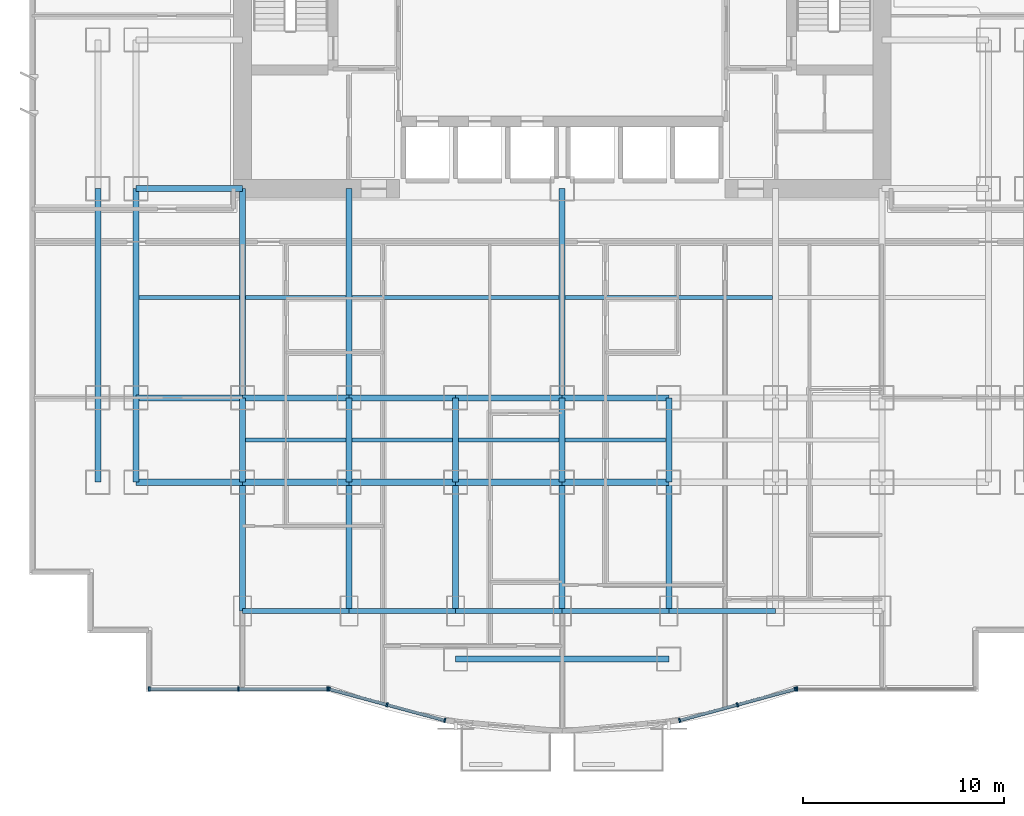
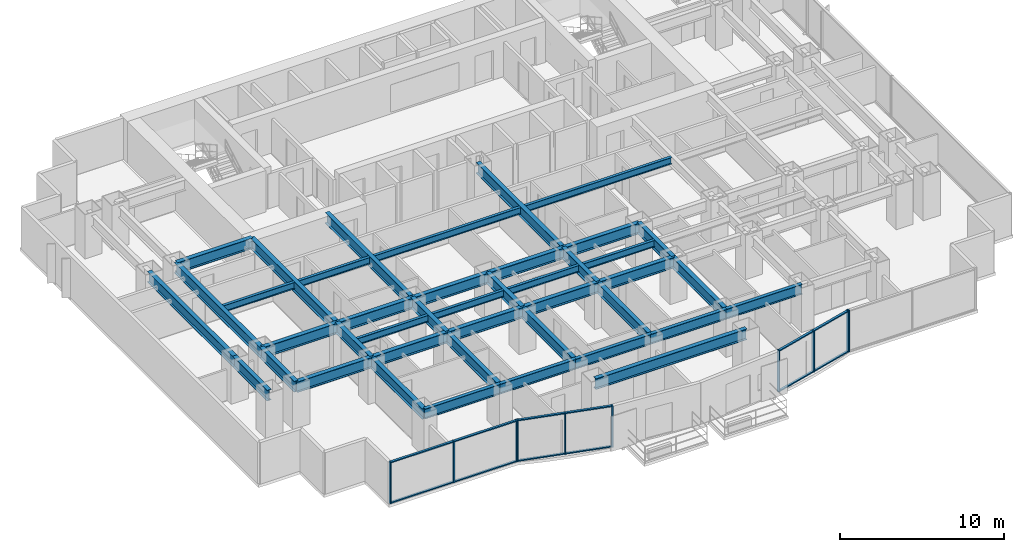
# One storey, part 2 of 12: 42 beams, 22 members, 4 elements without a shape of their own.
"""IFC4 building model written with IfcOpenShell, lengths in metres."""

from ifc_helpers import new_model, si_unit, direction, frame, origin, origin_2d, place, context, subcontext, project, spatial, rectangle, i_section, extrude, source, transform, mapped, material, layer, layer_set, material_profile, profile_set, type_object, element, aggregate, save


model = new_model("IFC4")

# Units and contexts
model_context = context("Model", 3, precision=1e-05, world=origin(), true_north=direction((0.0, 1.0)))
body_context = subcontext(model_context, "Body", "Model", "MODEL_VIEW")
ifc_project = project(units=[si_unit("LENGTHUNIT", "METRE"), si_unit("AREAUNIT", "SQUARE_METRE"), si_unit("VOLUMEUNIT", "CUBIC_METRE"), si_unit("PLANEANGLEUNIT", "RADIAN"), si_unit("MASSUNIT", "GRAM", prefix="KILO")], contexts=[model_context])

# Site, building, storey
site_placement = place(None, origin())
site = spatial("IfcSite", under=ifc_project, at=site_placement, CompositionType="ELEMENT")
building_placement = place(site_placement, origin())
building = spatial("IfcBuilding", under=site, at=building_placement, Name="Qianlan Lanfeng Residences", CompositionType="ELEMENT")
storey_placement = place(building_placement, frame((0.0, 0.0, 44.0)))
storey = spatial("IfcBuildingStorey", under=building, at=storey_placement, Name="L11", CompositionType="ELEMENT", Elevation=44.0)

# Beams
ifc_material_1 = material(Name="Steel SN490B", Category="steel")
ifc_material_profile_1 = material_profile(ifc_material_1, i_section(OverallWidth=0.300048828125, OverallDepth=0.800048828125, WebThickness=0.01611328125, FlangeThickness=0.028076171875, at=origin_2d()), Name="H 800x300x16x28")
ifc_profile_set_1 = profile_set([ifc_material_profile_1], Name="Steel SN490B")
beam_type_1 = type_object("IfcBeamType", Name="G-950", PredefinedType="BEAM", material=ifc_profile_set_1)
beam_1_placement = place(storey_placement, frame((21.199951171875, 1.800048828125, 2.679931640625), z_axis=(1.0, 0.0, 0.0), x_axis=(0.0, 1.0, 0.0)))
element("IfcBeam", 1, at=beam_1_placement, inside=storey, type_object=beam_type_1, Name="Structural beam G-950", PredefinedType="BEAM", context=body_context, shape_type="SweptSolid", body=[
    extrude(i_section(OverallWidth=0.300048828125, OverallDepth=0.800048828125, WebThickness=0.01611328125, FlangeThickness=0.028076171875, at=origin_2d()), origin(), (0.0, 0.0, 1.0), 10.60009765625),
])
beam_2_placement = place(storey_placement, frame((5.300048828125, 10.60009765625, 2.679931640625), z_axis=(1.0, 0.0, 0.0), x_axis=(0.0, 1.0, 0.0)))
element("IfcBeam", 2, at=beam_2_placement, inside=storey, type_object=beam_type_1, Name="Structural beam G-950", PredefinedType="BEAM", context=body_context, shape_type="SweptSolid", body=[
    extrude(i_section(OverallWidth=0.300048828125, OverallDepth=0.800048828125, WebThickness=0.01611328125, FlangeThickness=0.028076171875, at=origin_2d()), origin(), (0.0, 0.0, 1.0), 5.300048828125),
])
beam_3_placement = place(storey_placement, frame((10.60009765625, 10.60009765625, 2.679931640625), z_axis=(1.0, 0.0, 0.0), x_axis=(0.0, 1.0, 0.0)))
element("IfcBeam", 3, at=beam_3_placement, inside=storey, type_object=beam_type_1, Name="Structural beam G-950", PredefinedType="BEAM", context=body_context, shape_type="SweptSolid", body=[
    extrude(i_section(OverallWidth=0.300048828125, OverallDepth=0.800048828125, WebThickness=0.01611328125, FlangeThickness=0.028076171875, at=origin_2d()), origin(), (0.0, 0.0, 1.0), 5.2998046875),
])
for number, where, z_axis, x_axis, name in (
    (4, (15.89990234375, 10.60009765625, 2.679931640625), (1.0, 0.0, 0.0), (0.0, 1.0, 0.0), "Structural beam G-950"),
    (5, (21.199951171875, 10.60009765625, 2.679931640625), (1.0, 0.0, 0.0), (0.0, 1.0, 0.0), "Structural beam G-950"),
    (6, (26.5, 10.60009765625, 2.679931640625), (1.0, 0.0, 0.0), (0.0, 1.0, 0.0), "Structural beam G-950"),
    (7, (5.300048828125, 14.800048828125, 2.679931640625), (1.0, 0.0, 0.0), (0.0, 1.0, 0.0), "Structural beam G-950"),
):
    element("IfcBeam", number, at=place(storey_placement, frame(where, z_axis=z_axis, x_axis=x_axis)), inside=storey, type_object=beam_type_1, Name=name, PredefinedType="BEAM", context=body_context, shape_type="SweptSolid", body=[
        extrude(i_section(OverallWidth=0.300048828125, OverallDepth=0.800048828125, WebThickness=0.01611328125, FlangeThickness=0.028076171875, at=origin_2d()), origin(), (0.0, 0.0, 1.0), 5.300048828125),
    ])
beam_4_placement = place(storey_placement, frame((10.60009765625, 14.800048828125, 2.679931640625), z_axis=(1.0, 0.0, 0.0), x_axis=(0.0, 1.0, 0.0)))
element("IfcBeam", 8, at=beam_4_placement, inside=storey, type_object=beam_type_1, Name="Structural beam G-950", PredefinedType="BEAM", context=body_context, shape_type="SweptSolid", body=[
    extrude(i_section(OverallWidth=0.300048828125, OverallDepth=0.800048828125, WebThickness=0.01611328125, FlangeThickness=0.028076171875, at=origin_2d()), origin(), (0.0, 0.0, 1.0), 5.2998046875),
])
for number, where, z_axis, x_axis, name in (
    (9, (15.89990234375, 14.800048828125, 2.679931640625), (1.0, 0.0, 0.0), (0.0, 1.0, 0.0), "Structural beam G-950"),
    (10, (21.199951171875, 14.800048828125, 2.679931640625), (1.0, 0.0, 0.0), (0.0, 1.0, 0.0), "Structural beam G-950"),
    (11, (26.5, 14.800048828125, 2.679931640625), (1.0, 0.0, 0.0), (0.0, 1.0, 0.0), "Structural beam G-950"),
    (12, (5.300048828125, 25.199951171875, 2.679931640625), (1.0, 0.0, 0.0), (0.0, 1.0, 0.0), "Structural beam G-950"),
):
    element("IfcBeam", number, at=place(storey_placement, frame(where, z_axis=z_axis, x_axis=x_axis)), inside=storey, type_object=beam_type_1, Name=name, PredefinedType="BEAM", context=body_context, shape_type="SweptSolid", body=[
        extrude(i_section(OverallWidth=0.300048828125, OverallDepth=0.800048828125, WebThickness=0.01611328125, FlangeThickness=0.028076171875, at=origin_2d()), origin(), (0.0, 0.0, 1.0), 5.300048828125),
    ])
beam_5_placement = place(storey_placement, frame((3.39990234375, 10.60009765625, 2.679931640625), z_axis=(0.0, 1.0, 0.0), x_axis=(-1.0, 0.0, 0.0)))
element("IfcBeam", 13, at=beam_5_placement, inside=storey, type_object=beam_type_1, Name="Structural beam G-950", PredefinedType="BEAM", context=body_context, shape_type="SweptSolid", body=[
    extrude(i_section(OverallWidth=0.300048828125, OverallDepth=0.800048828125, WebThickness=0.01611328125, FlangeThickness=0.028076171875, at=origin_2d()), origin(), (0.0, 0.0, 1.0), 4.199951171875),
])
beam_6_placement = place(storey_placement, frame((3.39990234375, 14.800048828125, 2.679931640625), z_axis=(0.0, 1.0, 0.0), x_axis=(-1.0, 0.0, 0.0)))
element("IfcBeam", 14, at=beam_6_placement, inside=storey, type_object=beam_type_1, Name="Structural beam G-950", PredefinedType="BEAM", context=body_context, shape_type="SweptSolid", body=[
    extrude(i_section(OverallWidth=0.300048828125, OverallDepth=0.800048828125, WebThickness=0.01611328125, FlangeThickness=0.028076171875, at=origin_2d()), origin(), (0.0, 0.0, 1.0), 10.39990234375),
])
beam_7_placement = place(storey_placement, frame((5.300048828125, 10.60009765625, 2.679931640625), z_axis=(0.0, 1.0, 0.0), x_axis=(-1.0, 0.0, 0.0)))
element("IfcBeam", 15, at=beam_7_placement, inside=storey, type_object=beam_type_1, Name="Structural beam G-950", PredefinedType="BEAM", context=body_context, shape_type="SweptSolid", body=[
    extrude(i_section(OverallWidth=0.300048828125, OverallDepth=0.800048828125, WebThickness=0.01611328125, FlangeThickness=0.028076171875, at=origin_2d()), origin(), (0.0, 0.0, 1.0), 4.199951171875),
])
beam_8_placement = place(storey_placement, frame((5.300048828125, 14.800048828125, 2.679931640625), z_axis=(0.0, 1.0, 0.0), x_axis=(-1.0, 0.0, 0.0)))
element("IfcBeam", 16, at=beam_8_placement, inside=storey, type_object=beam_type_1, Name="Structural beam G-950", PredefinedType="BEAM", context=body_context, shape_type="SweptSolid", body=[
    extrude(i_section(OverallWidth=0.300048828125, OverallDepth=0.800048828125, WebThickness=0.01611328125, FlangeThickness=0.028076171875, at=origin_2d()), origin(), (0.0, 0.0, 1.0), 10.39990234375),
])
beam_9_placement = place(storey_placement, frame((10.60009765625, 4.199951171875, 2.679931640625), z_axis=(0.0, 1.0, 0.0), x_axis=(-1.0, 0.0, 0.0)))
element("IfcBeam", 17, at=beam_9_placement, inside=storey, type_object=beam_type_1, Name="Structural beam G-950", PredefinedType="BEAM", context=body_context, shape_type="SweptSolid", body=[
    extrude(i_section(OverallWidth=0.300048828125, OverallDepth=0.800048828125, WebThickness=0.01611328125, FlangeThickness=0.028076171875, at=origin_2d()), origin(), (0.0, 0.0, 1.0), 6.400146484375),
])
beam_10_placement = place(storey_placement, frame((10.60009765625, 10.60009765625, 2.679931640625), z_axis=(0.0, 1.0, 0.0), x_axis=(-1.0, 0.0, 0.0)))
element("IfcBeam", 18, at=beam_10_placement, inside=storey, type_object=beam_type_1, Name="Structural beam G-950", PredefinedType="BEAM", context=body_context, shape_type="SweptSolid", body=[
    extrude(i_section(OverallWidth=0.300048828125, OverallDepth=0.800048828125, WebThickness=0.01611328125, FlangeThickness=0.028076171875, at=origin_2d()), origin(), (0.0, 0.0, 1.0), 4.199951171875),
])
beam_11_placement = place(storey_placement, frame((10.60009765625, 14.800048828125, 2.679931640625), z_axis=(0.0, 1.0, 0.0), x_axis=(-1.0, 0.0, 0.0)))
element("IfcBeam", 19, at=beam_11_placement, inside=storey, type_object=beam_type_1, Name="Structural beam G-950", PredefinedType="BEAM", context=body_context, shape_type="SweptSolid", body=[
    extrude(i_section(OverallWidth=0.300048828125, OverallDepth=0.800048828125, WebThickness=0.01611328125, FlangeThickness=0.028076171875, at=origin_2d()), origin(), (0.0, 0.0, 1.0), 10.39990234375),
])
beam_12_placement = place(storey_placement, frame((15.89990234375, 4.199951171875, 2.679931640625), z_axis=(0.0, 1.0, 0.0), x_axis=(-1.0, 0.0, 0.0)))
element("IfcBeam", 20, at=beam_12_placement, inside=storey, type_object=beam_type_1, Name="Structural beam G-950", PredefinedType="BEAM", context=body_context, shape_type="SweptSolid", body=[
    extrude(i_section(OverallWidth=0.300048828125, OverallDepth=0.800048828125, WebThickness=0.01611328125, FlangeThickness=0.028076171875, at=origin_2d()), origin(), (0.0, 0.0, 1.0), 6.400146484375),
])
beam_13_placement = place(storey_placement, frame((15.89990234375, 10.60009765625, 2.679931640625), z_axis=(0.0, 1.0, 0.0), x_axis=(-1.0, 0.0, 0.0)))
element("IfcBeam", 21, at=beam_13_placement, inside=storey, type_object=beam_type_1, Name="Structural beam G-950", PredefinedType="BEAM", context=body_context, shape_type="SweptSolid", body=[
    extrude(i_section(OverallWidth=0.300048828125, OverallDepth=0.800048828125, WebThickness=0.01611328125, FlangeThickness=0.028076171875, at=origin_2d()), origin(), (0.0, 0.0, 1.0), 4.199951171875),
])
beam_14_placement = place(storey_placement, frame((15.89990234375, 14.800048828125, 2.679931640625), z_axis=(0.0, 1.0, 0.0), x_axis=(-1.0, 0.0, 0.0)))
element("IfcBeam", 22, at=beam_14_placement, inside=storey, type_object=beam_type_1, Name="Structural beam G-950", PredefinedType="BEAM", context=body_context, shape_type="SweptSolid", body=[
    extrude(i_section(OverallWidth=0.300048828125, OverallDepth=0.800048828125, WebThickness=0.01611328125, FlangeThickness=0.028076171875, at=origin_2d()), origin(), (0.0, 0.0, 1.0), 10.39990234375),
])
beam_15_placement = place(storey_placement, frame((21.199951171875, 4.199951171875, 2.679931640625), z_axis=(0.0, 1.0, 0.0), x_axis=(-1.0, 0.0, 0.0)))
element("IfcBeam", 23, at=beam_15_placement, inside=storey, type_object=beam_type_1, Name="Structural beam G-950", PredefinedType="BEAM", context=body_context, shape_type="SweptSolid", body=[
    extrude(i_section(OverallWidth=0.300048828125, OverallDepth=0.800048828125, WebThickness=0.01611328125, FlangeThickness=0.028076171875, at=origin_2d()), origin(), (0.0, 0.0, 1.0), 6.400146484375),
])
beam_16_placement = place(storey_placement, frame((21.199951171875, 10.60009765625, 2.679931640625), z_axis=(0.0, 1.0, 0.0), x_axis=(-1.0, 0.0, 0.0)))
element("IfcBeam", 24, at=beam_16_placement, inside=storey, type_object=beam_type_1, Name="Structural beam G-950", PredefinedType="BEAM", context=body_context, shape_type="SweptSolid", body=[
    extrude(i_section(OverallWidth=0.300048828125, OverallDepth=0.800048828125, WebThickness=0.01611328125, FlangeThickness=0.028076171875, at=origin_2d()), origin(), (0.0, 0.0, 1.0), 4.199951171875),
])
beam_17_placement = place(storey_placement, frame((26.5, 4.199951171875, 2.679931640625), z_axis=(0.0, 1.0, 0.0), x_axis=(-1.0, 0.0, 0.0)))
element("IfcBeam", 25, at=beam_17_placement, inside=storey, type_object=beam_type_1, Name="Structural beam G-950", PredefinedType="BEAM", context=body_context, shape_type="SweptSolid", body=[
    extrude(i_section(OverallWidth=0.300048828125, OverallDepth=0.800048828125, WebThickness=0.01611328125, FlangeThickness=0.028076171875, at=origin_2d()), origin(), (0.0, 0.0, 1.0), 6.400146484375),
])
beam_18_placement = place(storey_placement, frame((26.5, 10.60009765625, 2.679931640625), z_axis=(0.0, 1.0, 0.0), x_axis=(-1.0, 0.0, 0.0)))
element("IfcBeam", 26, at=beam_18_placement, inside=storey, type_object=beam_type_1, Name="Structural beam G-950", PredefinedType="BEAM", context=body_context, shape_type="SweptSolid", body=[
    extrude(i_section(OverallWidth=0.300048828125, OverallDepth=0.800048828125, WebThickness=0.01611328125, FlangeThickness=0.028076171875, at=origin_2d()), origin(), (0.0, 0.0, 1.0), 4.199951171875),
])
beam_19_placement = place(storey_placement, frame((26.5, 14.800048828125, 2.679931640625), z_axis=(0.0, 1.0, 0.0), x_axis=(-1.0, 0.0, 0.0)))
element("IfcBeam", 27, at=beam_19_placement, inside=storey, type_object=beam_type_1, Name="Structural beam G-950", PredefinedType="BEAM", context=body_context, shape_type="SweptSolid", body=[
    extrude(i_section(OverallWidth=0.300048828125, OverallDepth=0.800048828125, WebThickness=0.01611328125, FlangeThickness=0.028076171875, at=origin_2d()), origin(), (0.0, 0.0, 1.0), 10.39990234375),
])
beam_20_placement = place(storey_placement, frame((31.800048828125, 4.199951171875, 2.679931640625), z_axis=(0.0, 1.0, 0.0), x_axis=(-1.0, 0.0, 0.0)))
element("IfcBeam", 28, at=beam_20_placement, inside=storey, type_object=beam_type_1, Name="Structural beam G-950", PredefinedType="BEAM", context=body_context, shape_type="SweptSolid", body=[
    extrude(i_section(OverallWidth=0.300048828125, OverallDepth=0.800048828125, WebThickness=0.01611328125, FlangeThickness=0.028076171875, at=origin_2d()), origin(), (0.0, 0.0, 1.0), 6.400146484375),
])
beam_21_placement = place(storey_placement, frame((31.800048828125, 10.60009765625, 2.679931640625), z_axis=(0.0, 1.0, 0.0), x_axis=(-1.0, 0.0, 0.0)))
element("IfcBeam", 29, at=beam_21_placement, inside=storey, type_object=beam_type_1, Name="Structural beam G-950", PredefinedType="BEAM", context=body_context, shape_type="SweptSolid", body=[
    extrude(i_section(OverallWidth=0.300048828125, OverallDepth=0.800048828125, WebThickness=0.01611328125, FlangeThickness=0.028076171875, at=origin_2d()), origin(), (0.0, 0.0, 1.0), 4.199951171875),
])
ifc_material_profile_2 = material_profile(ifc_material_1, i_section(OverallWidth=0.199951171875, OverallDepth=0.5, WebThickness=0.010009765625, FlangeThickness=0.01611328125, at=origin_2d()), Name="H 500x200x10x16")
ifc_profile_set_2 = profile_set([ifc_material_profile_2], Name="Steel SN490B")
beam_type_2 = type_object("IfcBeamType", Name="J-500", PredefinedType="JOIST", material=ifc_profile_set_2)
for number, where, z_axis, x_axis, name in (
    (30, (10.75, 12.699951171875, 2.830078125), (1.0, 0.0, 0.0), (0.0, 1.0, 0.0), "Structural beam J-500"),
    (31, (16.050048828125, 12.699951171875, 2.830078125), (1.0, 0.0, 0.0), (0.0, 1.0, 0.0), "Structural beam J-500"),
    (32, (21.35009765625, 12.699951171875, 2.830078125), (1.0, 0.0, 0.0), (0.0, 1.0, 0.0), "Structural beam J-500"),
    (33, (26.64990234375, 12.699951171875, 2.830078125), (1.0, 0.0, 0.0), (0.0, 1.0, 0.0), "Structural beam J-500"),
    (34, (5.449951171875, 19.800048828125, 2.830078125), (1.0, 0.0, 0.0), (0.0, 1.0, 0.0), "Structural beam J-500"),
    (35, (10.75, 19.800048828125, 2.830078125), (1.0, 0.0, 0.0), (0.0, 1.0, 0.0), "Structural beam J-500"),
):
    element("IfcBeam", number, at=place(storey_placement, frame(where, z_axis=z_axis, x_axis=x_axis)), inside=storey, type_object=beam_type_2, Name=name, PredefinedType="JOIST", context=body_context, shape_type="SweptSolid", body=[
        extrude(i_section(OverallWidth=0.199951171875, OverallDepth=0.5, WebThickness=0.010009765625, FlangeThickness=0.01611328125, at=origin_2d()), origin(), (0.0, 0.0, 1.0), 5.0),
    ])
for number, where, z_axis, x_axis, name in (
    (36, (16.050048828125, 19.800048828125, 2.830078125), (1.0, 0.0, 0.0), (0.0, 1.0, 0.0), "Structural beam J-500"),
    (37, (26.64990234375, 19.800048828125, 2.830078125), (1.0, 0.0, 0.0), (0.0, 1.0, 0.0), "Structural beam J-500"),
):
    element("IfcBeam", number, at=place(storey_placement, frame(where, z_axis=z_axis, x_axis=x_axis)), inside=storey, type_object=beam_type_2, Name=name, PredefinedType="JOIST", context=body_context, shape_type="SweptSolid", body=[
        extrude(i_section(OverallWidth=0.199951171875, OverallDepth=0.5, WebThickness=0.010009765625, FlangeThickness=0.01611328125, at=origin_2d()), origin(), (0.0, 0.0, 1.0), 10.300048828125),
    ])
ifc_material_profile_3 = material_profile(ifc_material_1, i_section(OverallWidth=0.25, OverallDepth=0.75, WebThickness=0.013916015625, FlangeThickness=0.02490234375, at=origin_2d()), Name="H 750x250x14x25")
ifc_profile_set_3 = profile_set([ifc_material_profile_3], Name="Steel SN490B")
beam_type_3 = type_object("IfcBeamType", Name="SG-850", PredefinedType="SPANDREL", material=ifc_profile_set_3)
beam_22_placement = place(storey_placement, frame((10.60009765625, 4.199951171875, 2.705078125), z_axis=(1.0, 0.0, 0.0), x_axis=(0.0, 1.0, 0.0)))
element("IfcBeam", 38, at=beam_22_placement, inside=storey, type_object=beam_type_3, Name="Structural beam SG-850", PredefinedType="SPANDREL", context=body_context, shape_type="SweptSolid", body=[
    extrude(i_section(OverallWidth=0.25, OverallDepth=0.75, WebThickness=0.013916015625, FlangeThickness=0.02490234375, at=origin_2d()), origin(), (0.0, 0.0, 1.0), 5.2998046875),
])
for number, where, z_axis, x_axis, name in (
    (39, (15.89990234375, 4.199951171875, 2.705078125), (1.0, 0.0, 0.0), (0.0, 1.0, 0.0), "Structural beam SG-850"),
    (40, (21.199951171875, 4.199951171875, 2.705078125), (1.0, 0.0, 0.0), (0.0, 1.0, 0.0), "Structural beam SG-850"),
    (41, (26.5, 4.199951171875, 2.705078125), (1.0, 0.0, 0.0), (0.0, 1.0, 0.0), "Structural beam SG-850"),
    (42, (31.800048828125, 4.199951171875, 2.705078125), (1.0, 0.0, 0.0), (0.0, 1.0, 0.0), "Structural beam SG-850"),
):
    element("IfcBeam", number, at=place(storey_placement, frame(where, z_axis=z_axis, x_axis=x_axis)), inside=storey, type_object=beam_type_3, Name=name, PredefinedType="SPANDREL", context=body_context, shape_type="SweptSolid", body=[
        extrude(i_section(OverallWidth=0.25, OverallDepth=0.75, WebThickness=0.013916015625, FlangeThickness=0.02490234375, at=origin_2d()), origin(), (0.0, 0.0, 1.0), 5.300048828125),
    ])

# Curtain wall, members
ifc_material_2 = material(Name="Anodised Bronze Aluminium 6063-T6", Category="aluminium")
ifc_layer = layer(ifc_material_2, 0.219970703125)
ifc_layer_set = layer_set([ifc_layer], Name="Anodised Bronze Aluminium 6063-T6")
curtain_wall_type = type_object("IfcCurtainWallType", Name="CW-02", PredefinedType="NOTDEFINED", material=ifc_layer_set)
curtain_wall_1_placement = place(storey_placement, origin())
curtain_wall_1 = element("IfcCurtainWall", 43, at=curtain_wall_1_placement, inside=storey, type_object=curtain_wall_type, Name="L11 Unitised Curtain Wall CWR-L11-01 (CW-02)", PredefinedType="NOTDEFINED")
ifc_material_profile_4 = material_profile(ifc_material_2, rectangle(XDim=0.080078125, YDim=0.2099609375, at=origin_2d()), Name="ALU MULLION 80x210")
ifc_profile_set_4 = profile_set([ifc_material_profile_4], Name="Anodised Bronze Aluminium 6063-T6")
member_type_1 = type_object("IfcMemberType", Name="CWM-220", PredefinedType="MULLION", material=ifc_profile_set_4)
shared_shape_1 = source(origin(), body_context, "Body", "SweptSolid", [
    extrude(rectangle(XDim=0.080078125, YDim=0.2099609375, at=origin_2d()), origin(), (0.0, 0.0, 1.0), 3.080078125),
])
member_1_placement = place(storey_placement, frame((5.9599609375, 0.320068359375, 0.0), z_axis=(0.0, 0.0, 1.0), x_axis=(1.0, 0.0, 0.0)))
member_1 = element("IfcMember", 44, at=member_1_placement, type_object=member_type_1, Name="CWR-L11-01 Mullion 1", PredefinedType="MULLION", context=body_context, shape_type="MappedRepresentation", body=[
    mapped(shared_shape_1, transform((0.0, 0.0, 0.0), scale=1.0)),
])
member_2_placement = place(storey_placement, frame((10.39501953125, 0.320068359375, 0.0), z_axis=(0.0, 0.0, 1.0), x_axis=(1.0, 0.0, 0.0)))
member_2 = element("IfcMember", 45, at=member_2_placement, type_object=member_type_1, Name="CWR-L11-01 Mullion 2", PredefinedType="MULLION", context=body_context, shape_type="MappedRepresentation", body=[
    mapped(shared_shape_1, transform((0.0, 0.0, 0.0), scale=1.0)),
])
member_3_placement = place(storey_placement, frame((14.830078125, 0.320068359375, 0.0), z_axis=(0.0, 0.0, 1.0), x_axis=(1.0, 0.0, 0.0)))
member_3 = element("IfcMember", 46, at=member_3_placement, type_object=member_type_1, Name="CWR-L11-01 Mullion 3", PredefinedType="MULLION", context=body_context, shape_type="MappedRepresentation", body=[
    mapped(shared_shape_1, transform((0.0, 0.0, 0.0), scale=1.0)),
])

curtain_wall_2_placement = place(storey_placement, origin())
curtain_wall_2 = element("IfcCurtainWall", 47, at=curtain_wall_2_placement, inside=storey, type_object=curtain_wall_type, Name="L11 Unitised Curtain Wall CWR-L11-02 (CW-02)", PredefinedType="NOTDEFINED")
member_4_placement = place(storey_placement, frame((14.90869140625, 0.3095703125, 0.0), z_axis=(0.0, 0.0, 1.0), x_axis=(0.9652627173, -0.261281240412, 0.0)))
member_4 = element("IfcMember", 48, at=member_4_placement, type_object=member_type_1, Name="CWR-L11-02 Mullion 1", PredefinedType="MULLION", context=body_context, shape_type="MappedRepresentation", body=[
    mapped(shared_shape_1, transform((0.0, 0.0, 0.0), scale=1.0)),
])
member_5_placement = place(storey_placement, frame((17.782958984375, -0.468505859375, 0.0), z_axis=(0.0, 0.0, 1.0), x_axis=(0.9652627173, -0.261281240412, 0.0)))
member_5 = element("IfcMember", 49, at=member_5_placement, type_object=member_type_1, Name="CWR-L11-02 Mullion 2", PredefinedType="MULLION", context=body_context, shape_type="MappedRepresentation", body=[
    mapped(shared_shape_1, transform((0.0, 0.0, 0.0), scale=1.0)),
])
member_6_placement = place(storey_placement, frame((20.657470703125, -1.24658203125, 0.0), z_axis=(0.0, 0.0, 1.0), x_axis=(0.9652627173, -0.261281240412, 0.0)))
member_6 = element("IfcMember", 50, at=member_6_placement, type_object=member_type_1, Name="CWR-L11-02 Mullion 3", PredefinedType="MULLION", context=body_context, shape_type="MappedRepresentation", body=[
    mapped(shared_shape_1, transform((0.0, 0.0, 0.0), scale=1.0)),
])

curtain_wall_3_placement = place(storey_placement, origin())
curtain_wall_3 = element("IfcCurtainWall", 51, at=curtain_wall_3_placement, inside=storey, type_object=curtain_wall_type, Name="L11 Unitised Curtain Wall CWR-L11-03 (CW-02)", PredefinedType="NOTDEFINED")
member_7_placement = place(storey_placement, frame((32.342529296875, -1.24658203125, 0.0), z_axis=(0.0, 0.0, 1.0), x_axis=(0.9652627173, 0.261281240412, 0.0)))
member_7 = element("IfcMember", 52, at=member_7_placement, type_object=member_type_1, Name="CWR-L11-03 Mullion 1", PredefinedType="MULLION", context=body_context, shape_type="MappedRepresentation", body=[
    mapped(shared_shape_1, transform((0.0, 0.0, 0.0), scale=1.0)),
])
member_8_placement = place(storey_placement, frame((35.217041015625, -0.468505859375, 0.0), z_axis=(0.0, 0.0, 1.0), x_axis=(0.9652627173, 0.261281240412, 0.0)))
member_8 = element("IfcMember", 53, at=member_8_placement, type_object=member_type_1, Name="CWR-L11-03 Mullion 2", PredefinedType="MULLION", context=body_context, shape_type="MappedRepresentation", body=[
    mapped(shared_shape_1, transform((0.0, 0.0, 0.0), scale=1.0)),
])
member_9_placement = place(storey_placement, frame((38.09130859375, 0.3095703125, 0.0), z_axis=(0.0, 0.0, 1.0), x_axis=(0.9652627173, 0.261281240412, 0.0)))
member_9 = element("IfcMember", 54, at=member_9_placement, type_object=member_type_1, Name="CWR-L11-03 Mullion 3", PredefinedType="MULLION", context=body_context, shape_type="MappedRepresentation", body=[
    mapped(shared_shape_1, transform((0.0, 0.0, 0.0), scale=1.0)),
])

# Curtain wall, member
curtain_wall_4_placement = place(storey_placement, origin())
curtain_wall_4 = element("IfcCurtainWall", 55, at=curtain_wall_4_placement, inside=storey, type_object=curtain_wall_type, Name="L11 Unitised Curtain Wall CWR-L11-04 (CW-02)", PredefinedType="NOTDEFINED")
member_10_placement = place(storey_placement, frame((38.169921875, 0.320068359375, 0.0), z_axis=(0.0, 0.0, 1.0), x_axis=(1.0, 0.0, 0.0)))
member_10 = element("IfcMember", 56, at=member_10_placement, type_object=member_type_1, Name="CWR-L11-04 Mullion 1", PredefinedType="MULLION", context=body_context, shape_type="MappedRepresentation", body=[
    mapped(shared_shape_1, transform((0.0, 0.0, 0.0), scale=1.0)),
])
aggregate(curtain_wall_4, [member_10])

# Member
ifc_material_profile_5 = material_profile(ifc_material_2, rectangle(XDim=0.080078125, YDim=0.159912109375, at=origin_2d()), Name="ALU TRANSOM 80x160")
ifc_profile_set_5 = profile_set([ifc_material_profile_5], Name="Anodised Bronze Aluminium 6063-T6")
member_type_2 = type_object("IfcMemberType", Name="CWT-180", PredefinedType="USERDEFINED", material=ifc_profile_set_5)
shared_shape_2 = source(origin(), body_context, "Body", "SweptSolid", [
    extrude(rectangle(XDim=0.080078125, YDim=0.159912109375, at=origin_2d()), origin(), (0.0, 0.0, 1.0), 2.897705078125),
])
member_11_placement = place(storey_placement, frame((14.947265625, 0.299072265625, 0.0400390625), z_axis=(0.965267548724, -0.261263390817, 0.0), x_axis=(0.0, 0.0, 1.0)))
member_11 = element("IfcMember", 57, at=member_11_placement, type_object=member_type_2, Name="CWR-L11-02 Transom 1-BOT", ObjectType="TRANSOM", PredefinedType="USERDEFINED", context=body_context, shape_type="MappedRepresentation", body=[
    mapped(shared_shape_2, transform((0.0, 0.0, 0.0), scale=1.0)),
])

member_12_placement = place(storey_placement, frame((14.947265625, 0.299072265625, 3.0400390625), z_axis=(0.965267548724, -0.261263390817, 0.0), x_axis=(0.0, 0.0, 1.0)))
member_12 = element("IfcMember", 58, at=member_12_placement, type_object=member_type_2, Name="CWR-L11-02 Transom 1-TOP", ObjectType="TRANSOM", PredefinedType="USERDEFINED", context=body_context, shape_type="MappedRepresentation", body=[
    mapped(shared_shape_2, transform((0.0, 0.0, 0.0), scale=1.0)),
])

member_13_placement = place(storey_placement, frame((35.255615234375, -0.4580078125, 0.0400390625), z_axis=(0.965267548724, 0.261263390817, 0.0), x_axis=(0.0, 0.0, 1.0)))
member_13 = element("IfcMember", 59, at=member_13_placement, type_object=member_type_2, Name="CWR-L11-03 Transom 2-BOT", ObjectType="TRANSOM", PredefinedType="USERDEFINED", context=body_context, shape_type="MappedRepresentation", body=[
    mapped(shared_shape_2, transform((0.0, 0.0, 0.0), scale=1.0)),
])

member_14_placement = place(storey_placement, frame((35.255615234375, -0.4580078125, 3.0400390625), z_axis=(0.965267548724, 0.261263390817, 0.0), x_axis=(0.0, 0.0, 1.0)))
member_14 = element("IfcMember", 60, at=member_14_placement, type_object=member_type_2, Name="CWR-L11-03 Transom 2-TOP", ObjectType="TRANSOM", PredefinedType="USERDEFINED", context=body_context, shape_type="MappedRepresentation", body=[
    mapped(shared_shape_2, transform((0.0, 0.0, 0.0), scale=1.0)),
])

shared_shape_3 = source(origin(), body_context, "Body", "SweptSolid", [
    extrude(rectangle(XDim=0.080078125, YDim=0.159912109375, at=origin_2d()), origin(), (0.0, 0.0, 1.0), 2.89794921875),
])
member_15_placement = place(storey_placement, frame((17.821533203125, -0.47900390625, 0.0400390625), z_axis=(0.965273298897, -0.261242145215, 0.0), x_axis=(0.0, 0.0, 1.0)))
member_15 = element("IfcMember", 61, at=member_15_placement, type_object=member_type_2, Name="CWR-L11-02 Transom 2-BOT", ObjectType="TRANSOM", PredefinedType="USERDEFINED", context=body_context, shape_type="MappedRepresentation", body=[
    mapped(shared_shape_3, transform((0.0, 0.0, 0.0), scale=1.0)),
])

member_16_placement = place(storey_placement, frame((17.821533203125, -0.47900390625, 3.0400390625), z_axis=(0.965273298897, -0.261242145215, 0.0), x_axis=(0.0, 0.0, 1.0)))
member_16 = element("IfcMember", 62, at=member_16_placement, type_object=member_type_2, Name="CWR-L11-02 Transom 2-TOP", ObjectType="TRANSOM", PredefinedType="USERDEFINED", context=body_context, shape_type="MappedRepresentation", body=[
    mapped(shared_shape_3, transform((0.0, 0.0, 0.0), scale=1.0)),
])

aggregate(curtain_wall_2, [member_4, member_5, member_6, member_11, member_12, member_15, member_16])

member_17_placement = place(storey_placement, frame((32.381103515625, -1.236083984375, 0.0400390625), z_axis=(0.965273298897, 0.261242145215, 0.0), x_axis=(0.0, 0.0, 1.0)))
member_17 = element("IfcMember", 63, at=member_17_placement, type_object=member_type_2, Name="CWR-L11-03 Transom 1-BOT", ObjectType="TRANSOM", PredefinedType="USERDEFINED", context=body_context, shape_type="MappedRepresentation", body=[
    mapped(shared_shape_3, transform((0.0, 0.0, 0.0), scale=1.0)),
])

member_18_placement = place(storey_placement, frame((32.381103515625, -1.236083984375, 3.0400390625), z_axis=(0.965273298897, 0.261242145215, 0.0), x_axis=(0.0, 0.0, 1.0)))
member_18 = element("IfcMember", 64, at=member_18_placement, type_object=member_type_2, Name="CWR-L11-03 Transom 1-TOP", ObjectType="TRANSOM", PredefinedType="USERDEFINED", context=body_context, shape_type="MappedRepresentation", body=[
    mapped(shared_shape_3, transform((0.0, 0.0, 0.0), scale=1.0)),
])

aggregate(curtain_wall_3, [member_7, member_8, member_9, member_17, member_18, member_13, member_14])

shared_shape_4 = source(origin(), body_context, "Body", "SweptSolid", [
    extrude(rectangle(XDim=0.080078125, YDim=0.159912109375, at=origin_2d()), origin(), (0.0, 0.0, 1.0), 4.35498046875),
])
member_19_placement = place(storey_placement, frame((6.0, 0.320068359375, 0.0400390625), z_axis=(1.0, 0.0, 0.0), x_axis=(0.0, 0.0, 1.0)))
member_19 = element("IfcMember", 65, at=member_19_placement, type_object=member_type_2, Name="CWR-L11-01 Transom 1-BOT", ObjectType="TRANSOM", PredefinedType="USERDEFINED", context=body_context, shape_type="MappedRepresentation", body=[
    mapped(shared_shape_4, transform((0.0, 0.0, 0.0), scale=1.0)),
])

member_20_placement = place(storey_placement, frame((6.0, 0.320068359375, 3.0400390625), z_axis=(1.0, 0.0, 0.0), x_axis=(0.0, 0.0, 1.0)))
member_20 = element("IfcMember", 66, at=member_20_placement, type_object=member_type_2, Name="CWR-L11-01 Transom 1-TOP", ObjectType="TRANSOM", PredefinedType="USERDEFINED", context=body_context, shape_type="MappedRepresentation", body=[
    mapped(shared_shape_4, transform((0.0, 0.0, 0.0), scale=1.0)),
])

member_21_placement = place(storey_placement, frame((10.43505859375, 0.320068359375, 0.0400390625), z_axis=(1.0, 0.0, 0.0), x_axis=(0.0, 0.0, 1.0)))
member_21 = element("IfcMember", 67, at=member_21_placement, type_object=member_type_2, Name="CWR-L11-01 Transom 2-BOT", ObjectType="TRANSOM", PredefinedType="USERDEFINED", context=body_context, shape_type="MappedRepresentation", body=[
    mapped(shared_shape_4, transform((0.0, 0.0, 0.0), scale=1.0)),
])

member_22_placement = place(storey_placement, frame((10.43505859375, 0.320068359375, 3.0400390625), z_axis=(1.0, 0.0, 0.0), x_axis=(0.0, 0.0, 1.0)))
member_22 = element("IfcMember", 68, at=member_22_placement, type_object=member_type_2, Name="CWR-L11-01 Transom 2-TOP", ObjectType="TRANSOM", PredefinedType="USERDEFINED", context=body_context, shape_type="MappedRepresentation", body=[
    mapped(shared_shape_4, transform((0.0, 0.0, 0.0), scale=1.0)),
])

aggregate(curtain_wall_1, [member_1, member_2, member_3, member_19, member_20, member_21, member_22])

save(model, "model.ifc")
